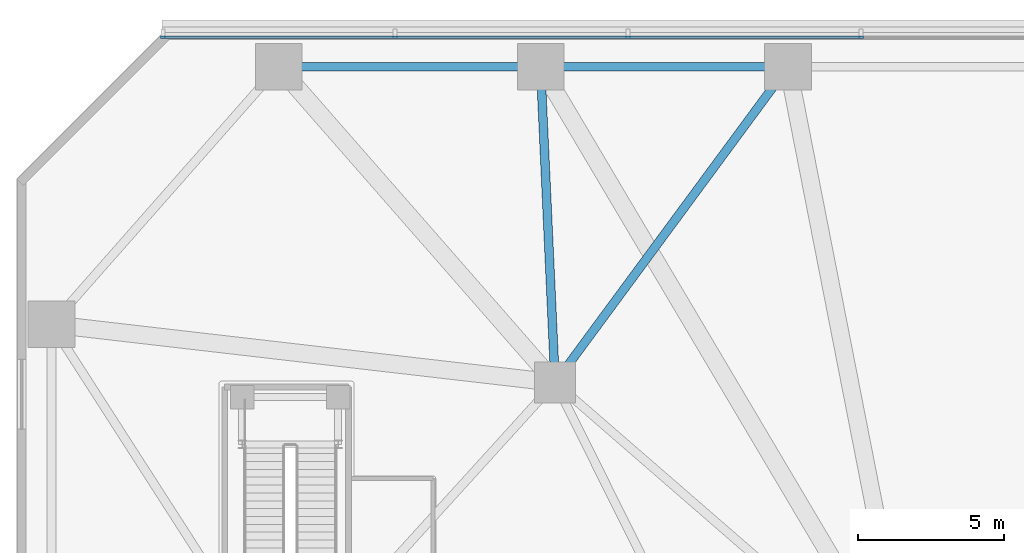
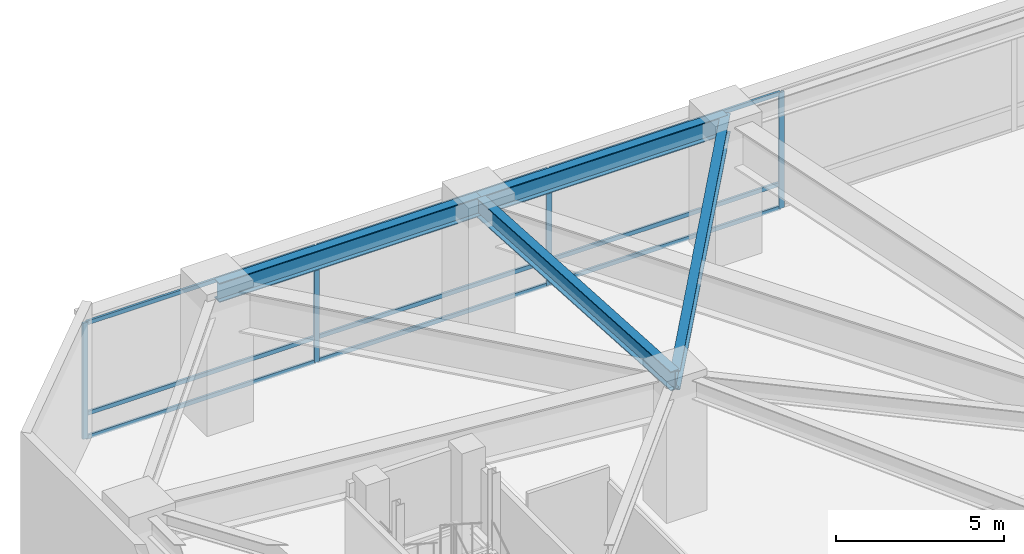
# One storey, part 9 of 27: 13 members, 4 beams, 1 element without a shape of its own.
"""IFC4 building model written with IfcOpenShell, lengths in metres."""

from ifc_helpers import new_model, si_unit, direction, frame, origin, origin_2d, place, context, subcontext, project, spatial, rectangle, i_section, extrude, material, layer, layer_set, material_profile, profile_set, type_object, element, aggregate, save


model = new_model("IFC4")

# Units and contexts
model_context = context("Model", 3, precision=1e-05, world=origin(), true_north=direction((0.0, 1.0)))
body_context = subcontext(model_context, "Body", "Model", "MODEL_VIEW")
ifc_project = project(units=[si_unit("LENGTHUNIT", "METRE"), si_unit("AREAUNIT", "SQUARE_METRE"), si_unit("VOLUMEUNIT", "CUBIC_METRE"), si_unit("PLANEANGLEUNIT", "RADIAN"), si_unit("MASSUNIT", "GRAM", prefix="KILO")], contexts=[model_context])

# Site, building, storey
site_placement = place(None, origin())
site = spatial("IfcSite", under=ifc_project, at=site_placement, CompositionType="ELEMENT")
building_placement = place(site_placement, origin())
building = spatial("IfcBuilding", under=site, at=building_placement, Name="Terralouvre Media Tower", CompositionType="ELEMENT")
storey_placement = place(building_placement, frame((0.0, 0.0, 15.60009765625)))
storey = spatial("IfcBuildingStorey", under=building, at=storey_placement, Name="L03", CompositionType="ELEMENT", Elevation=15.60009765625)

# Curtain wall, members
ifc_material_1 = material(Name="Low-iron laminated double glazing with solar-control coating", Category="glass")
ifc_layer = layer(ifc_material_1, 0.1650390625, Name="Podium Broadcast Gallery Glazing CW-01")
ifc_layer_set = layer_set([ifc_layer], Name="Low-iron laminated double glazing with solar-control coating")
curtain_wall_type = type_object("IfcCurtainWallType", Name="Podium Broadcast Gallery Glazing CW-01", PredefinedType="NOTDEFINED", material=ifc_layer_set)
curtain_wall_placement = place(storey_placement, origin())
curtain_wall = element("IfcCurtainWall", 1, at=curtain_wall_placement, inside=storey, type_object=curtain_wall_type, Name="L03 Podium Curtain Wall F4", PredefinedType="NOTDEFINED")
ifc_material_2 = material(Name="Anodised extruded aluminium 6063-T6", Category="aluminium")
ifc_material_profile_1 = material_profile(ifc_material_2, rectangle(XDim=0.074951171875, YDim=0.14990234375, at=origin_2d()), Name="ALU 75x150")
ifc_profile_set_1 = profile_set([ifc_material_profile_1], Name="Anodised extruded aluminium 6063-T6")
member_type_1 = type_object("IfcMemberType", Name="Curtain-Wall Horizontal Transom TR-150", PredefinedType="USERDEFINED", material=ifc_profile_set_1)
member_1_placement = place(storey_placement, frame((-8.03759765625, 33.360107421875, 0.037353515625), z_axis=(-1.0, 0.0, 0.0), x_axis=(0.0, -1.0, 0.0)))
member_1 = element("IfcMember", 2, at=member_1_placement, type_object=member_type_1, Name="CW-01 transom 6.1", ObjectType="TRANSOM", PredefinedType="USERDEFINED", context=body_context, shape_type="SweptSolid", body=[
    extrude(rectangle(XDim=0.074951171875, YDim=0.14990234375, at=origin_2d()), origin(), (0.0, 0.0, 1.0), 7.9248046875),
])
member_2_placement = place(storey_placement, frame((-8.03759765625, 33.360107421875, 0.89990234375), z_axis=(-1.0, 0.0, 0.0), x_axis=(0.0, -1.0, 0.0)))
member_2 = element("IfcMember", 3, at=member_2_placement, type_object=member_type_1, Name="CW-01 transom 6.2", ObjectType="TRANSOM", PredefinedType="USERDEFINED", context=body_context, shape_type="SweptSolid", body=[
    extrude(rectangle(XDim=0.074951171875, YDim=0.14990234375, at=origin_2d()), origin(), (0.0, 0.0, 1.0), 7.9248046875),
])
member_3_placement = place(storey_placement, frame((-8.03759765625, 33.360107421875, 4.1923828125), z_axis=(-1.0, 0.0, 0.0), x_axis=(0.0, -1.0, 0.0)))
member_3 = element("IfcMember", 4, at=member_3_placement, type_object=member_type_1, Name="CW-01 transom 6.3", ObjectType="TRANSOM", PredefinedType="USERDEFINED", context=body_context, shape_type="SweptSolid", body=[
    extrude(rectangle(XDim=0.074951171875, YDim=0.14990234375, at=origin_2d()), origin(), (0.0, 0.0, 1.0), 7.9248046875),
])
member_4_placement = place(storey_placement, frame((-16.03759765625, 33.360107421875, 0.037353515625), z_axis=(-1.0, 0.0, 0.0), x_axis=(0.0, -1.0, 0.0)))
member_4 = element("IfcMember", 5, at=member_4_placement, type_object=member_type_1, Name="CW-01 transom 7.1", ObjectType="TRANSOM", PredefinedType="USERDEFINED", context=body_context, shape_type="SweptSolid", body=[
    extrude(rectangle(XDim=0.074951171875, YDim=0.14990234375, at=origin_2d()), origin(), (0.0, 0.0, 1.0), 7.9248046875),
])
member_5_placement = place(storey_placement, frame((-16.03759765625, 33.360107421875, 0.89990234375), z_axis=(-1.0, 0.0, 0.0), x_axis=(0.0, -1.0, 0.0)))
member_5 = element("IfcMember", 6, at=member_5_placement, type_object=member_type_1, Name="CW-01 transom 7.2", ObjectType="TRANSOM", PredefinedType="USERDEFINED", context=body_context, shape_type="SweptSolid", body=[
    extrude(rectangle(XDim=0.074951171875, YDim=0.14990234375, at=origin_2d()), origin(), (0.0, 0.0, 1.0), 7.9248046875),
])
member_6_placement = place(storey_placement, frame((-16.03759765625, 33.360107421875, 4.1923828125), z_axis=(-1.0, 0.0, 0.0), x_axis=(0.0, -1.0, 0.0)))
member_6 = element("IfcMember", 7, at=member_6_placement, type_object=member_type_1, Name="CW-01 transom 7.3", ObjectType="TRANSOM", PredefinedType="USERDEFINED", context=body_context, shape_type="SweptSolid", body=[
    extrude(rectangle(XDim=0.074951171875, YDim=0.14990234375, at=origin_2d()), origin(), (0.0, 0.0, 1.0), 7.9248046875),
])
member_7_placement = place(storey_placement, frame((-24.03759765625, 33.360107421875, 0.037353515625), z_axis=(-1.0, 0.0, 0.0), x_axis=(0.0, -1.0, 0.0)))
member_7 = element("IfcMember", 8, at=member_7_placement, type_object=member_type_1, Name="CW-01 transom 8.1", ObjectType="TRANSOM", PredefinedType="USERDEFINED", context=body_context, shape_type="SweptSolid", body=[
    extrude(rectangle(XDim=0.074951171875, YDim=0.14990234375, at=origin_2d()), origin(), (0.0, 0.0, 1.0), 7.887451171875),
])
member_8_placement = place(storey_placement, frame((-24.03759765625, 33.360107421875, 0.89990234375), z_axis=(-1.0, 0.0, 0.0), x_axis=(0.0, -1.0, 0.0)))
member_8 = element("IfcMember", 9, at=member_8_placement, type_object=member_type_1, Name="CW-01 transom 8.2", ObjectType="TRANSOM", PredefinedType="USERDEFINED", context=body_context, shape_type="SweptSolid", body=[
    extrude(rectangle(XDim=0.074951171875, YDim=0.14990234375, at=origin_2d()), origin(), (0.0, 0.0, 1.0), 7.887451171875),
])
member_9_placement = place(storey_placement, frame((-24.03759765625, 33.360107421875, 4.1923828125), z_axis=(-1.0, 0.0, 0.0), x_axis=(0.0, -1.0, 0.0)))
member_9 = element("IfcMember", 10, at=member_9_placement, type_object=member_type_1, Name="CW-01 transom 8.3", ObjectType="TRANSOM", PredefinedType="USERDEFINED", context=body_context, shape_type="SweptSolid", body=[
    extrude(rectangle(XDim=0.074951171875, YDim=0.14990234375, at=origin_2d()), origin(), (0.0, 0.0, 1.0), 7.887451171875),
])
ifc_material_3 = material(Name="Anodised extruded aluminium 6063-T6", Category="aluminium")
ifc_material_profile_2 = material_profile(ifc_material_3, rectangle(XDim=0.074951171875, YDim=0.179931640625, at=origin_2d()), Name="ALU 75x180")
ifc_profile_set_2 = profile_set([ifc_material_profile_2], Name="Anodised extruded aluminium 6063-T6")
member_type_2 = type_object("IfcMemberType", Name="Curtain-Wall Vertical Mullion ML-180", PredefinedType="MULLION", material=ifc_profile_set_2)
member_10_placement = place(storey_placement, frame((-8.0, 33.360107421875, 0.0), z_axis=(0.0, 0.0, 1.0), x_axis=(0.0, -1.0, 0.0)))
member_10 = element("IfcMember", 11, at=member_10_placement, type_object=member_type_2, Name="CW-01 mullion 6", PredefinedType="MULLION", context=body_context, shape_type="SweptSolid", body=[
    extrude(rectangle(XDim=0.074951171875, YDim=0.179931640625, at=origin_2d()), origin(), (0.0, 0.0, 1.0), 4.22998046875),
])
member_11_placement = place(storey_placement, frame((-16.0, 33.360107421875, 0.0), z_axis=(0.0, 0.0, 1.0), x_axis=(0.0, -1.0, 0.0)))
member_11 = element("IfcMember", 12, at=member_11_placement, type_object=member_type_2, Name="CW-01 mullion 7", PredefinedType="MULLION", context=body_context, shape_type="SweptSolid", body=[
    extrude(rectangle(XDim=0.074951171875, YDim=0.179931640625, at=origin_2d()), origin(), (0.0, 0.0, 1.0), 4.22998046875),
])
member_12_placement = place(storey_placement, frame((-24.0, 33.360107421875, 0.0), z_axis=(0.0, 0.0, 1.0), x_axis=(0.0, -1.0, 0.0)))
member_12 = element("IfcMember", 13, at=member_12_placement, type_object=member_type_2, Name="CW-01 mullion 8", PredefinedType="MULLION", context=body_context, shape_type="SweptSolid", body=[
    extrude(rectangle(XDim=0.074951171875, YDim=0.179931640625, at=origin_2d()), origin(), (0.0, 0.0, 1.0), 4.22998046875),
])
member_13_placement = place(storey_placement, frame((-31.96240234375, 33.360107421875, 0.0), z_axis=(0.0, 0.0, 1.0), x_axis=(0.0, -1.0, 0.0)))
member_13 = element("IfcMember", 14, at=member_13_placement, type_object=member_type_2, Name="CW-01 mullion 9", PredefinedType="MULLION", context=body_context, shape_type="SweptSolid", body=[
    extrude(rectangle(XDim=0.074951171875, YDim=0.179931640625, at=origin_2d()), origin(), (0.0, 0.0, 1.0), 4.22998046875),
])
aggregate(curtain_wall, [member_10, member_11, member_12, member_13, member_1, member_2, member_3, member_4, member_5, member_6, member_7, member_8, member_9])

# Beams
ifc_material_4 = material(Name="Structural steel S460M", Category="steel")
ifc_material_profile_3 = material_profile(ifc_material_4, i_section(OverallWidth=0.300048828125, OverallDepth=0.699951171875, WebThickness=0.01708984375, FlangeThickness=0.031982421875, at=origin_2d()), Name="HEB 700")
ifc_profile_set_3 = profile_set([ifc_material_profile_3], Name="Structural steel S460M")
beam_type = type_object("IfcBeamType", Name="Primary Floor Girder B-HEB700 (HEB 700)", PredefinedType="BEAM", material=ifc_profile_set_3)
beam_1_placement = place(storey_placement, frame((-18.5, 21.5, 4.599853515625), z_axis=(-0.046033681898, 0.998939888147, 0.0), x_axis=(-0.998939888147, -0.046033681898, 0.0)))
element("IfcBeam", 15, at=beam_1_placement, inside=storey, type_object=beam_type, Name="L03 Framing Beam BM-L03-PM19P1", PredefinedType="BEAM", context=body_context, shape_type="SweptSolid", body=[
    extrude(i_section(OverallWidth=0.300048828125, OverallDepth=0.699951171875, WebThickness=0.01708984375, FlangeThickness=0.031982421875, at=origin_2d()), origin(), (0.0, 0.0, 1.0), 10.861572265625),
])
beam_2_placement = place(storey_placement, frame((-18.5, 21.5, 4.599853515625), z_axis=(0.593448591359, 0.804871896276, 0.0), x_axis=(-0.804871896276, 0.593448591359, 0.0)))
element("IfcBeam", 16, at=beam_2_placement, inside=storey, type_object=beam_type, Name="L03 Framing Beam BM-L03-PM19P2", PredefinedType="BEAM", context=body_context, shape_type="SweptSolid", body=[
    extrude(i_section(OverallWidth=0.300048828125, OverallDepth=0.699951171875, WebThickness=0.01708984375, FlangeThickness=0.031982421875, at=origin_2d()), origin(), (0.0, 0.0, 1.0), 13.48046875),
])
beam_3_placement = place(storey_placement, frame((-10.5, 32.35009765625, 4.599853515625), z_axis=(-1.0, 0.0, 0.0), x_axis=(0.0, -1.0, 0.0)))
element("IfcBeam", 17, at=beam_3_placement, inside=storey, type_object=beam_type, Name="L03 Framing Beam BM-L03-PR14", PredefinedType="BEAM", context=body_context, shape_type="SweptSolid", body=[
    extrude(i_section(OverallWidth=0.300048828125, OverallDepth=0.699951171875, WebThickness=0.01708984375, FlangeThickness=0.031982421875, at=origin_2d()), origin(), (0.0, 0.0, 1.0), 8.5),
])
beam_4_placement = place(storey_placement, frame((-19.0, 32.35009765625, 4.599853515625), z_axis=(-1.0, 0.0, 0.0), x_axis=(0.0, -1.0, 0.0)))
element("IfcBeam", 18, at=beam_4_placement, inside=storey, type_object=beam_type, Name="L03 Framing Beam BM-L03-PR15", PredefinedType="BEAM", context=body_context, shape_type="SweptSolid", body=[
    extrude(i_section(OverallWidth=0.300048828125, OverallDepth=0.699951171875, WebThickness=0.01708984375, FlangeThickness=0.031982421875, at=origin_2d()), origin(), (0.0, 0.0, 1.0), 9.0),
])

save(model, "model.ifc")
